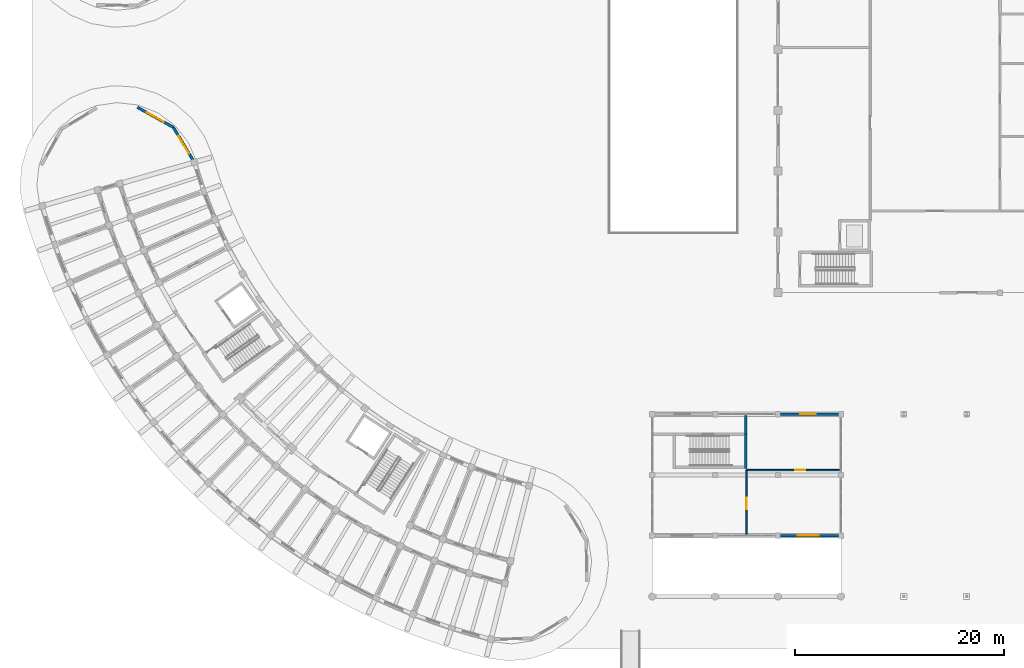
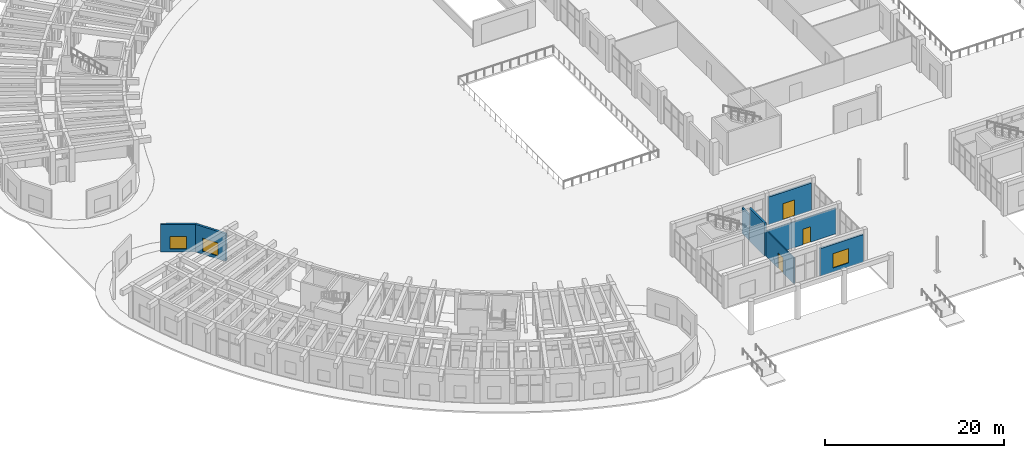
# One storey, part 90 of 132: 8 walls, 3 doors, 3 windows, 6 openings.
"""IFC4 building model written with IfcOpenShell, lengths in metres."""

from ifc_helpers import new_model, si_unit, direction, frame, frame_2d, origin, place, context, subcontext, project, spatial, rectangle, extrude, material, layer, layer_set, type_object, element, fill, save


model = new_model("IFC4")

# Units and contexts
model_context = context("Model", 3, precision=1e-05, world=origin(), true_north=direction((0.0, 1.0)))
body_context = subcontext(model_context, "Body", "Model", "MODEL_VIEW")
ifc_project = project(units=[si_unit("LENGTHUNIT", "METRE"), si_unit("AREAUNIT", "SQUARE_METRE"), si_unit("VOLUMEUNIT", "CUBIC_METRE"), si_unit("PLANEANGLEUNIT", "RADIAN"), si_unit("MASSUNIT", "GRAM", prefix="KILO")], contexts=[model_context])

# Site, building, storey
site_placement = place(None, origin())
site = spatial("IfcSite", under=ifc_project, at=site_placement, CompositionType="ELEMENT")
building_placement = place(site_placement, origin())
building = spatial("IfcBuilding", under=site, at=building_placement, Name="Tanwirah Colonnade Gardens", CompositionType="ELEMENT")
storey_placement = place(building_placement, origin())
storey = spatial("IfcBuildingStorey", under=building, at=storey_placement, Name="L00", CompositionType="ELEMENT", Elevation=0.0)

# Wall, opening, window
ifc_material_1 = material(Name="Limestone architectural precast concrete C40/50", Category="masonry")
ifc_layer_1 = layer(ifc_material_1, 0.239990234375)
ifc_layer_set_1 = layer_set([ifc_layer_1], Name="Limestone architectural precast concrete C40/50")
wall_type_1 = type_object("IfcWallType", Name="EW-PC240", PredefinedType="SOLIDWALL", material=ifc_layer_set_1)
wall_1_placement = place(storey_placement, frame((78.219970703125, 16.60009765625, 0.0), z_axis=(0.0, 0.0, 1.0), x_axis=(1.0, 0.0, 0.0)))
wall_1 = element("IfcWall", 1, at=wall_1_placement, inside=storey, type_object=wall_type_1, Name="Boulevard Shops W L00 S Wall 2", PredefinedType="SOLIDWALL", context=body_context, shape_type="SweptSolid", body=[
    extrude(rectangle(XDim=5.56005859375, YDim=0.239990234375, at=frame_2d((2.780029296875, 0.0))), origin(), (0.0, 0.0, 1.0), 3.75),
])
opening_1_placement = place(wall_1_placement, frame((1.639892578125, 0.0, 0.550048828125)))
opening_1 = element("IfcOpeningElement", 2, at=opening_1_placement, cuts=wall_1, Name="Opening WIN-SHP1", PredefinedType="OPENING", context=body_context, shape_type="SweptSolid", body=[
    extrude(rectangle(XDim=2.02001953125, YDim=1.949951171875, at=frame_2d((1.010009765625, 0.97509765625))), frame((0.0, 0.1298828125, 0.0), z_axis=(0.0, -1.0, 0.0), x_axis=(1.0, 0.0, 0.0)), (0.0, 0.0, 1.0), 0.260009765625),
])
ifc_material_2 = material(Name="Thermally broken bronze aluminium and solar low-E double glazing", Category="aluminium")
window_type_1 = type_object("IfcWindowType", Name="WIN-SHP1", PartitioningType="TRIPLE_PANEL_VERTICAL", PredefinedType="WINDOW", material=ifc_material_2)
window_1_placement = place(opening_1_placement, origin())
window_1 = element("IfcWindow", 3, at=window_1_placement, inside=storey, type_object=window_type_1, Name="Boulevard Shop Window W-L00-2", OverallHeight=1.949951171875, OverallWidth=2.02001953125, PartitioningType="SINGLE_PANEL", PredefinedType="WINDOW", context=body_context, shape_type="SweptSolid", body=[
    extrude(rectangle(XDim=2.02001953125, YDim=1.949951171875, at=frame_2d((1.010009765625, 0.97509765625))), frame((0.0, 0.030029296875, 0.0), z_axis=(0.0, -1.0, 0.0), x_axis=(1.0, 0.0, 0.0)), (0.0, 0.0, 1.0), 0.06005859375),
])
fill(opening_1, window_1)

# Wall, opening, door
wall_2_placement = place(storey_placement, frame((78.219970703125, 28.199951171875, 0.0), z_axis=(0.0, 0.0, 1.0), x_axis=(1.0, 0.0, 0.0)))
wall_2 = element("IfcWall", 4, at=wall_2_placement, inside=storey, type_object=wall_type_1, Name="Boulevard Shops W L00 N Wall 2", PredefinedType="SOLIDWALL", context=body_context, shape_type="SweptSolid", body=[
    extrude(rectangle(XDim=5.56005859375, YDim=0.239990234375, at=frame_2d((2.780029296875, 0.0))), origin(), (0.0, 0.0, 1.0), 3.75),
])
opening_2_placement = place(wall_2_placement, frame((1.89990234375, 0.0, 0.0)))
opening_2 = element("IfcOpeningElement", 5, at=opening_2_placement, cuts=wall_2, Name="Opening L00-ED225", PredefinedType="OPENING", context=body_context, shape_type="SweptSolid", body=[
    extrude(rectangle(XDim=1.5, YDim=2.199951171875, at=frame_2d((0.75, 1.10009765625))), frame((0.0, 0.1298828125, 0.0), z_axis=(0.0, -1.0, 0.0), x_axis=(1.0, 0.0, 0.0)), (0.0, 0.0, 1.0), 0.260009765625),
])
ifc_material_3 = material(Name="Bronze architectural aluminium and safety glass", Category="aluminium")
door_type_1 = type_object("IfcDoorType", Name="ED-SHP15", OperationType="DOUBLE_DOOR_SINGLE_SWING", PredefinedType="DOOR", material=ifc_material_3)
door_1_placement = place(opening_2_placement, origin())
door_1 = element("IfcDoor", 6, at=door_1_placement, inside=storey, type_object=door_type_1, Name="Boulevard Shop Entrance Door L00-ED225", OperationType="DOUBLE_DOOR_SINGLE_SWING", OverallHeight=2.199951171875, OverallWidth=1.5, PredefinedType="DOOR", context=body_context, shape_type="SweptSolid", body=[
    extrude(rectangle(XDim=1.5, YDim=2.199951171875, at=frame_2d((0.75, 1.10009765625))), frame((0.0, 0.02490234375, 0.0), z_axis=(0.0, -1.0, 0.0), x_axis=(1.0, 0.0, 0.0)), (0.0, 0.0, 1.0), 0.050048828125),
])
fill(opening_2, door_1)

# Wall, opening, window
ifc_layer_2 = layer(ifc_material_1, 0.260009765625)
ifc_layer_set_2 = layer_set([ifc_layer_2], Name="Limestone architectural precast concrete C40/50")
wall_type_2 = type_object("IfcWallType", Name="EW-PC260", PredefinedType="SOLIDWALL", material=ifc_layer_set_2)
wall_3_placement = place(storey_placement, frame((16.8408203125, 57.49267578125, 0.0), z_axis=(0.0, 0.0, 1.0), x_axis=(0.874616555828, -0.48481530532, 0.0)))
wall_3 = element("IfcWall", 7, at=wall_3_placement, inside=storey, type_object=wall_type_2, Name="Block C L00 START Rounded End Wall 4", PredefinedType="SOLIDWALL", context=body_context, shape_type="SweptSolid", body=[
    extrude(rectangle(XDim=3.908203125, YDim=0.260009765625, at=frame_2d((1.9541015625, 0.0))), origin(), (0.0, 0.0, 1.0), 3.7548828125),
])
opening_3_placement = place(wall_3_placement, frame((1.029052734375, 0.0, 0.39990234375)))
opening_3 = element("IfcOpeningElement", 8, at=opening_3_placement, cuts=wall_3, Name="Opening WIN-END1", PredefinedType="OPENING", context=body_context, shape_type="SweptSolid", body=[
    extrude(rectangle(XDim=1.85009765625, YDim=1.719970703125, at=frame_2d((0.925048828125, 0.85986328125))), frame((0.0, 0.139892578125, 0.0), z_axis=(0.0, -1.0, 0.0), x_axis=(1.0, 0.0, 0.0)), (0.0, 0.0, 1.0), 0.280029296875),
])
window_type_2 = type_object("IfcWindowType", Name="WIN-END1", PartitioningType="TRIPLE_PANEL_VERTICAL", PredefinedType="WINDOW", material=ifc_material_2)
window_2_placement = place(opening_3_placement, origin())
window_2 = element("IfcWindow", 9, at=window_2_placement, inside=storey, type_object=window_type_2, Name="Rounded corner window C-L00-START-4", OverallHeight=1.719970703125, OverallWidth=1.85009765625, PartitioningType="SINGLE_PANEL", PredefinedType="WINDOW", context=body_context, shape_type="SweptSolid", body=[
    extrude(rectangle(XDim=1.85009765625, YDim=1.719970703125, at=frame_2d((0.925048828125, 0.85986328125))), frame((0.0, 0.030029296875, 0.0), z_axis=(0.0, -1.0, 0.0), x_axis=(1.0, 0.0, 0.0)), (0.0, 0.0, 1.0), 0.06005859375),
])
fill(opening_3, window_2)

wall_4_placement = place(storey_placement, frame((20.259033203125, 55.597900390625, 0.0), z_axis=(0.0, 0.0, 1.0), x_axis=(0.515037642827, -0.857167560324, 0.0)))
wall_4 = element("IfcWall", 10, at=wall_4_placement, inside=storey, type_object=wall_type_2, Name="Block C L00 START Rounded End Wall 5", PredefinedType="SOLIDWALL", context=body_context, shape_type="SweptSolid", body=[
    extrude(rectangle(XDim=3.908447265625, YDim=0.260009765625, at=frame_2d((1.9541015625, 0.0))), origin(), (0.0, 0.0, 1.0), 3.7548828125),
])
opening_4_placement = place(wall_4_placement, frame((0.97900390625, 0.0, 0.39990234375)))
opening_4 = element("IfcOpeningElement", 11, at=opening_4_placement, cuts=wall_4, Name="Opening WIN-END2", PredefinedType="OPENING", context=body_context, shape_type="SweptSolid", body=[
    extrude(rectangle(XDim=1.949951171875, YDim=1.780029296875, at=frame_2d((0.97509765625, 0.89013671875))), frame((0.0, 0.139892578125, 0.0), z_axis=(0.0, -1.0, 0.0), x_axis=(1.0, 0.0, 0.0)), (0.0, 0.0, 1.0), 0.280029296875),
])
window_type_3 = type_object("IfcWindowType", Name="WIN-END2", PartitioningType="TRIPLE_PANEL_VERTICAL", PredefinedType="WINDOW", material=ifc_material_2)
window_3_placement = place(opening_4_placement, origin())
window_3 = element("IfcWindow", 12, at=window_3_placement, inside=storey, type_object=window_type_3, Name="Rounded corner window C-L00-START-5", OverallHeight=1.780029296875, OverallWidth=1.949951171875, PartitioningType="SINGLE_PANEL", PredefinedType="WINDOW", context=body_context, shape_type="SweptSolid", body=[
    extrude(rectangle(XDim=1.949951171875, YDim=1.780029296875, at=frame_2d((0.97509765625, 0.89013671875))), frame((0.0, 0.030029296875, 0.0), z_axis=(0.0, -1.0, 0.0), x_axis=(1.0, 0.0, 0.0)), (0.0, 0.0, 1.0), 0.06005859375),
])
fill(opening_4, window_3)

# Wall
ifc_material_4 = material(Name="Precast concrete C40/50", Category="concrete")
ifc_layer_3 = layer(ifc_material_4, 0.205078125)
ifc_layer_set_3 = layer_set([ifc_layer_3], Name="Precast concrete C40/50")
wall_type_3 = type_object("IfcWallType", Name="IW-CORR205", PredefinedType="PARTITIONING", material=ifc_layer_set_3)
wall_5_placement = place(storey_placement, frame((74.919921875, 26.2900390625, 0.0), z_axis=(0.0, 0.0, 1.0), x_axis=(0.0, 1.0, 0.0)))
element("IfcWall", 13, at=wall_5_placement, inside=storey, type_object=wall_type_3, Name="Interior Partition IW-SHPW-EXIT-E", PredefinedType="PARTITIONING", context=body_context, shape_type="SweptSolid", body=[
    extrude(rectangle(XDim=1.7900390625, YDim=0.205078125, at=frame_2d((0.89501953125, 0.0))), origin(), (0.0, 0.0, 1.0), 3.52001953125),
])

# Wall, opening, door
ifc_material_5 = material(Name="Fire-rated acoustic blockwork partition", Category="masonry")
ifc_layer_4 = layer(ifc_material_5, 0.159912109375)
ifc_layer_set_4 = layer_set([ifc_layer_4], Name="Fire-rated acoustic blockwork partition")
wall_type_4 = type_object("IfcWallType", Name="IW-PAV160", PredefinedType="PARTITIONING", material=ifc_layer_set_4)
wall_6_placement = place(storey_placement, frame((75.0, 16.719970703125, 0.0), z_axis=(0.0, 0.0, 1.0), x_axis=(0.0, 1.0, 0.0)))
wall_6 = element("IfcWall", 14, at=wall_6_placement, inside=storey, type_object=wall_type_4, Name="Interior Partition IW-SHPW-DIV0", PredefinedType="PARTITIONING", context=body_context, shape_type="SweptSolid", body=[
    extrude(rectangle(XDim=6.130126953125, YDim=0.159912109375, at=frame_2d((3.06494140625, 0.0))), origin(), (0.0, 0.0, 1.0), 3.52001953125),
])
opening_5_placement = place(wall_6_placement, frame((2.38232421875, 0.0, 0.0)))
opening_5 = element("IfcOpeningElement", 15, at=opening_5_placement, cuts=wall_6, Name="Opening L00-VD1967", PredefinedType="OPENING", context=body_context, shape_type="SweptSolid", body=[
    extrude(rectangle(XDim=1.1201171875, YDim=2.1201171875, at=frame_2d((0.56005859375, 1.06005859375))), frame((0.0, 0.08984375, 0.0), z_axis=(0.0, -1.0, 0.0), x_axis=(1.0, 0.0, 0.0)), (0.0, 0.0, 1.0), 0.179931640625),
])
ifc_material_6 = material(Name="Commercial suite oak fire door")
door_type_2 = type_object("IfcDoorType", Name="ID-SHP11", OperationType="NOTDEFINED", PredefinedType="DOOR", material=ifc_material_6)
door_2_placement = place(opening_5_placement, origin())
door_2 = element("IfcDoor", 16, at=door_2_placement, inside=storey, type_object=door_type_2, Name="Civic interior door L00-VD1967", OperationType="SINGLE_SWING_RIGHT", OverallHeight=2.1201171875, OverallWidth=1.1201171875, PredefinedType="DOOR", context=body_context, shape_type="SweptSolid", body=[
    extrude(rectangle(XDim=1.1201171875, YDim=2.1201171875, at=frame_2d((0.56005859375, 1.06005859375))), frame((0.0, 0.02490234375, 0.0), z_axis=(0.0, -1.0, 0.0), x_axis=(1.0, 0.0, 0.0)), (0.0, 0.0, 1.0), 0.050048828125),
])
fill(opening_5, door_2)

ifc_material_7 = material(Name="Water-resistant acoustic plumbing partition")
ifc_layer_5 = layer(ifc_material_7, 0.139892578125)
ifc_layer_set_5 = layer_set([ifc_layer_5], Name="Water-resistant acoustic plumbing partition")
wall_type_5 = type_object("IfcWallType", Name="IW-WET140", PredefinedType="PLUMBINGWALL", material=ifc_layer_set_5)
wall_7_placement = place(storey_placement, frame((74.949951171875, 22.85009765625, 0.0), z_axis=(0.0, 0.0, 1.0), x_axis=(1.0, 0.0, 0.0)))
wall_7 = element("IfcWall", 17, at=wall_7_placement, inside=storey, type_object=wall_type_5, Name="Interior Partition IW-SHPW-COR0", PredefinedType="PLUMBINGWALL", context=body_context, shape_type="SweptSolid", body=[
    extrude(rectangle(XDim=8.929931640625, YDim=0.139892578125, at=frame_2d((4.46484375, 0.0))), origin(), (0.0, 0.0, 1.0), 3.52001953125),
])
opening_6_placement = place(wall_7_placement, frame((4.699462890625, 0.0, 0.0)))
opening_6 = element("IfcOpeningElement", 18, at=opening_6_placement, cuts=wall_7, Name="Opening L00-VD1968", PredefinedType="OPENING", context=body_context, shape_type="SweptSolid", body=[
    extrude(rectangle(XDim=0.9599609375, YDim=2.10009765625, at=frame_2d((0.47998046875, 1.050048828125))), frame((0.0, 0.079833984375, 0.0), z_axis=(0.0, -1.0, 0.0), x_axis=(1.0, 0.0, 0.0)), (0.0, 0.0, 1.0), 0.159912109375),
])
ifc_material_8 = material(Name="Accessible toilet outward-opening door")
door_type_3 = type_object("IfcDoorType", Name="ID-AWC096", OperationType="NOTDEFINED", PredefinedType="DOOR", material=ifc_material_8)
door_3_placement = place(opening_6_placement, origin())
door_3 = element("IfcDoor", 19, at=door_3_placement, inside=storey, type_object=door_type_3, Name="Civic interior door L00-VD1968", OperationType="SINGLE_SWING_LEFT", OverallHeight=2.10009765625, OverallWidth=0.9599609375, PredefinedType="DOOR", context=body_context, shape_type="SweptSolid", body=[
    extrude(rectangle(XDim=0.9599609375, YDim=2.10009765625, at=frame_2d((0.47998046875, 1.050048828125))), frame((0.0, 0.02490234375, 0.0), z_axis=(0.0, -1.0, 0.0), x_axis=(1.0, 0.0, 0.0)), (0.0, 0.0, 1.0), 0.050048828125),
])
fill(opening_6, door_3)

# Wall
ifc_material_9 = material(Name="Concrete C45/55", Category="concrete")
ifc_layer_6 = layer(ifc_material_9, 0.235107421875)
ifc_layer_set_6 = layer_set([ifc_layer_6], Name="Concrete C45/55")
wall_type_6 = type_object("IfcWallType", Name="SW-CORE235", PredefinedType="SHEAR", material=ifc_layer_set_6)
wall_8_placement = place(storey_placement, frame((74.91748046875, 23.014892578125, 0.0), z_axis=(0.0, 0.0, 1.0), x_axis=(0.0, 1.0, 0.0)))
element("IfcWall", 20, at=wall_8_placement, inside=storey, type_object=wall_type_6, Name="CORE-SW L00 Stair Shaft Shear Wall FAR", PredefinedType="SHEAR", context=body_context, shape_type="SweptSolid", body=[
    extrude(rectangle(XDim=3.39013671875, YDim=0.235107421875, at=frame_2d((1.695068359375, 0.0))), origin(), (0.0, 0.0, 1.0), 4.489990234375),
])

save(model, "model.ifc")
